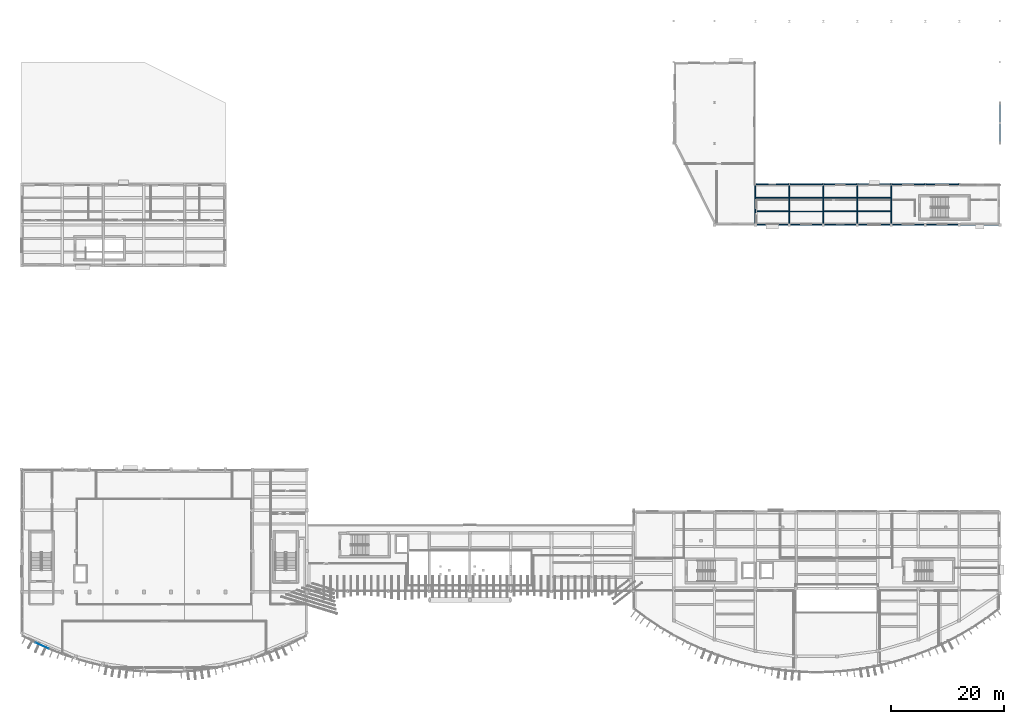
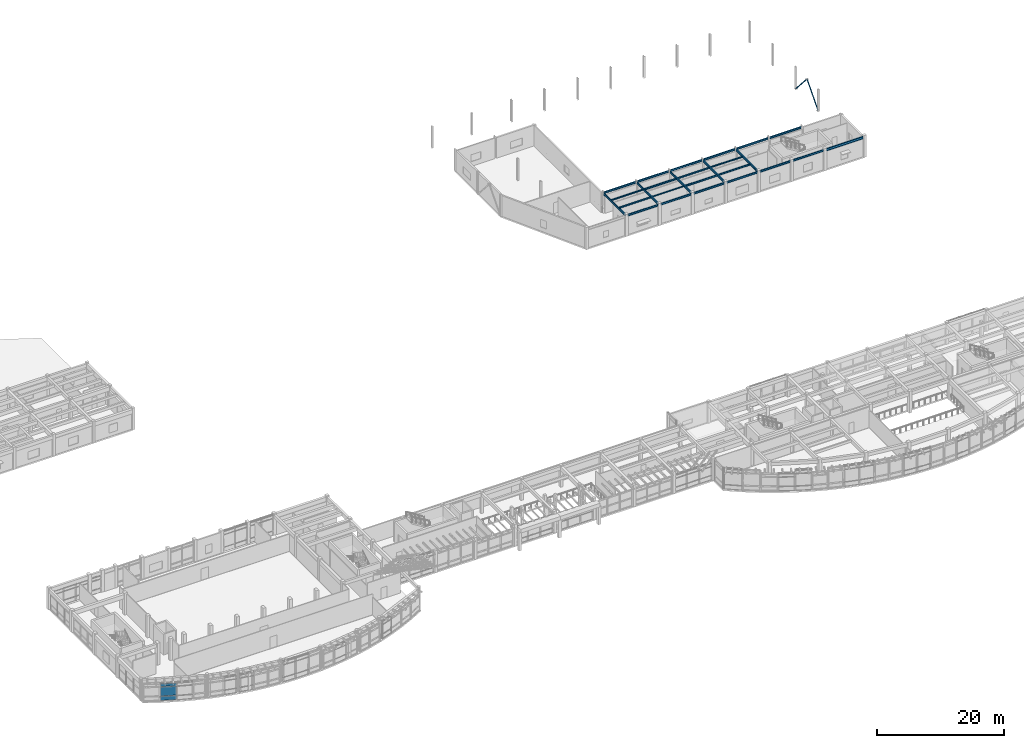
# One storey, part 27 of 60: 26 beams, 3 plates, 2 members, 1 element without a shape of its own.
"""IFC4 building model written with IfcOpenShell, lengths in metres."""

from ifc_helpers import new_model, si_unit, direction, frame, origin, origin_2d, place, context, subcontext, project, spatial, rectangle, hollow_circle, i_section, extrude, material, layer, layer_set, material_profile, profile_set, type_object, element, aggregate, save


model = new_model("IFC4")

# Units and contexts
model_context = context("Model", 3, precision=1e-05, world=origin(), true_north=direction((0.0, 1.0)))
body_context = subcontext(model_context, "Body", "Model", "MODEL_VIEW")
ifc_project = project(units=[si_unit("LENGTHUNIT", "METRE"), si_unit("AREAUNIT", "SQUARE_METRE"), si_unit("VOLUMEUNIT", "CUBIC_METRE"), si_unit("PLANEANGLEUNIT", "RADIAN"), si_unit("MASSUNIT", "GRAM", prefix="KILO")], contexts=[model_context])

# Site, building, storey
site_placement = place(None, origin())
site = spatial("IfcSite", under=ifc_project, at=site_placement, CompositionType="ELEMENT")
building_placement = place(site_placement, origin())
building = spatial("IfcBuilding", under=site, at=building_placement, Name="Brisavento Harbour Community Centre", CompositionType="ELEMENT")
storey_placement = place(building_placement, frame((0.0, 0.0, 4.5)))
storey = spatial("IfcBuildingStorey", under=building, at=storey_placement, Name="L01", CompositionType="ELEMENT", Elevation=4.5)

# Beams
ifc_material_1 = material(Name="Steel S355", Category="steel")
ifc_material_profile_1 = material_profile(ifc_material_1, i_section(OverallWidth=0.1201171875, OverallDepth=0.239990234375, WebThickness=0.006103515625, FlangeThickness=0.009765625, FilletRadius=0.014892578125, at=origin_2d()), Name="Steel S355")
ifc_profile_set_1 = profile_set([ifc_material_profile_1], Name="Steel S355")
beam_type_1 = type_object("IfcBeamType", Name="BM-STL-IPE240", PredefinedType="JOIST", material=ifc_profile_set_1)
beam_1_placement = place(storey_placement, frame((135.68994140625, 81.60009765625, 3.830078125), z_axis=(1.0, 0.0, 0.0), x_axis=(0.0, 1.0, 0.0)))
element("IfcBeam", 1, at=beam_1_placement, inside=storey, type_object=beam_type_1, Name="L01 secondary floor joist 0263", PredefinedType="JOIST", context=body_context, shape_type="SweptSolid", body=[
    extrude(i_section(OverallWidth=0.1201171875, OverallDepth=0.239990234375, WebThickness=0.006103515625, FlangeThickness=0.009765625, FilletRadius=0.014892578125, at=origin_2d()), origin(), (0.0, 0.0, 1.0), 5.820068359375),
])
ifc_material_profile_2 = material_profile(ifc_material_1, i_section(OverallWidth=0.135009765625, OverallDepth=0.27001953125, WebThickness=0.006591796875, FlangeThickness=0.01025390625, FilletRadius=0.014892578125, at=origin_2d()), Name="Steel S355")
ifc_profile_set_2 = profile_set([ifc_material_profile_2], Name="Steel S355")
beam_type_2 = type_object("IfcBeamType", Name="BM-STL-IPE270", PredefinedType="JOIST", material=ifc_profile_set_2)
for number, where, z_axis, x_axis, name in (
    (2, (129.68994140625, 84.0, 3.81494140625), (1.0, 0.0, 0.0), (0.0, 1.0, 0.0), "L01 secondary floor joist 0262"),
    (3, (147.68994140625, 84.0, 3.81494140625), (1.0, 0.0, 0.0), (0.0, 1.0, 0.0), "L01 secondary floor joist 0274"),
):
    element("IfcBeam", number, at=place(storey_placement, frame(where, z_axis=z_axis, x_axis=x_axis)), inside=storey, type_object=beam_type_2, Name=name, PredefinedType="JOIST", context=body_context, shape_type="SweptSolid", body=[
        extrude(i_section(OverallWidth=0.135009765625, OverallDepth=0.27001953125, WebThickness=0.006591796875, FlangeThickness=0.01025390625, FilletRadius=0.014892578125, at=origin_2d()), origin(), (0.0, 0.0, 1.0), 5.820068359375),
    ])
ifc_material_profile_3 = material_profile(ifc_material_1, i_section(OverallWidth=0.14990234375, OverallDepth=0.300048828125, WebThickness=0.007080078125, FlangeThickness=0.0107421875, FilletRadius=0.014892578125, at=origin_2d()), Name="Steel S355")
ifc_profile_set_3 = profile_set([ifc_material_profile_3], Name="Steel S355")
beam_type_3 = type_object("IfcBeamType", Name="BM-STL-IPE300", PredefinedType="JOIST", material=ifc_profile_set_3)
for number, where, z_axis, x_axis, name in (
    (4, (129.68994140625, 81.60009765625, 3.800048828125), (1.0, 0.0, 0.0), (0.0, 1.0, 0.0), "L01 secondary floor joist 0261"),
    (5, (141.68994140625, 84.0, 3.800048828125), (1.0, 0.0, 0.0), (0.0, 1.0, 0.0), "L01 secondary floor joist 0269"),
    (6, (147.68994140625, 81.60009765625, 3.800048828125), (1.0, 0.0, 0.0), (0.0, 1.0, 0.0), "L01 secondary floor joist 0273"),
):
    element("IfcBeam", number, at=place(storey_placement, frame(where, z_axis=z_axis, x_axis=x_axis)), inside=storey, type_object=beam_type_3, Name=name, PredefinedType="JOIST", context=body_context, shape_type="SweptSolid", body=[
        extrude(i_section(OverallWidth=0.14990234375, OverallDepth=0.300048828125, WebThickness=0.007080078125, FlangeThickness=0.0107421875, FilletRadius=0.014892578125, at=origin_2d()), origin(), (0.0, 0.0, 1.0), 5.820068359375),
    ])
ifc_material_profile_4 = material_profile(ifc_material_1, i_section(OverallWidth=0.159912109375, OverallDepth=0.330078125, WebThickness=0.007568359375, FlangeThickness=0.011474609375, FilletRadius=0.01806640625, at=origin_2d()), Name="Steel S355")
ifc_profile_set_4 = profile_set([ifc_material_profile_4], Name="Steel S355")
beam_type_4 = type_object("IfcBeamType", Name="BM-STL-IPE330", PredefinedType="JOIST", material=ifc_profile_set_4)
for number, where, z_axis, x_axis, name in (
    (7, (135.68994140625, 84.0, 3.784912109375), (1.0, 0.0, 0.0), (0.0, 1.0, 0.0), "L01 secondary floor joist 0264"),
    (8, (141.68994140625, 81.60009765625, 3.784912109375), (1.0, 0.0, 0.0), (0.0, 1.0, 0.0), "L01 secondary floor joist 0268"),
):
    element("IfcBeam", number, at=place(storey_placement, frame(where, z_axis=z_axis, x_axis=x_axis)), inside=storey, type_object=beam_type_4, Name=name, PredefinedType="JOIST", context=body_context, shape_type="SweptSolid", body=[
        extrude(i_section(OverallWidth=0.159912109375, OverallDepth=0.330078125, WebThickness=0.007568359375, FlangeThickness=0.011474609375, FilletRadius=0.01806640625, at=origin_2d()), origin(), (0.0, 0.0, 1.0), 5.820068359375),
    ])
ifc_material_profile_5 = material_profile(ifc_material_1, i_section(OverallWidth=0.169921875, OverallDepth=0.360107421875, WebThickness=0.008056640625, FlangeThickness=0.0126953125, FilletRadius=0.01806640625, at=origin_2d()), Name="Steel S355")
ifc_profile_set_5 = profile_set([ifc_material_profile_5], Name="Steel S355")
beam_type_5 = type_object("IfcBeamType", Name="BM-STL-IPE360", PredefinedType="BEAM", material=ifc_profile_set_5)
for number, where, z_axis, x_axis, name in (
    (9, (129.820068359375, 79.199951171875, 3.77001953125), (1.0, 0.0, 0.0), (0.0, 1.0, 0.0), "L01 primary girder X0457"),
    (10, (135.820068359375, 79.199951171875, 3.77001953125), (1.0, 0.0, 0.0), (0.0, 1.0, 0.0), "L01 primary girder X0458"),
    (11, (141.820068359375, 79.199951171875, 3.77001953125), (1.0, 0.0, 0.0), (0.0, 1.0, 0.0), "L01 primary girder X0459"),
    (12, (147.820068359375, 79.199951171875, 3.77001953125), (1.0, 0.0, 0.0), (0.0, 1.0, 0.0), "L01 primary girder X0460"),
    (13, (153.820068359375, 79.199951171875, 3.77001953125), (1.0, 0.0, 0.0), (0.0, 1.0, 0.0), "L01 primary girder X0461"),
    (14, (159.820068359375, 79.199951171875, 3.77001953125), (1.0, 0.0, 0.0), (0.0, 1.0, 0.0), "L01 primary girder X0462"),
):
    element("IfcBeam", number, at=place(storey_placement, frame(where, z_axis=z_axis, x_axis=x_axis)), inside=storey, type_object=beam_type_5, Name=name, PredefinedType="BEAM", context=body_context, shape_type="SweptSolid", body=[
        extrude(i_section(OverallWidth=0.169921875, OverallDepth=0.360107421875, WebThickness=0.008056640625, FlangeThickness=0.0126953125, FilletRadius=0.01806640625, at=origin_2d()), origin(), (0.0, 0.0, 1.0), 5.559814453125),
    ])
for number, where, z_axis, x_axis, name in (
    (15, (129.719970703125, 86.39990234375, 3.77001953125), (1.0, 0.0, 0.0), (0.0, 1.0, 0.0), "L01 primary girder X0469"),
    (16, (135.719970703125, 86.39990234375, 3.77001953125), (1.0, 0.0, 0.0), (0.0, 1.0, 0.0), "L01 primary girder X0470"),
    (17, (141.719970703125, 86.39990234375, 3.77001953125), (1.0, 0.0, 0.0), (0.0, 1.0, 0.0), "L01 primary girder X0471"),
    (18, (147.719970703125, 86.39990234375, 3.77001953125), (1.0, 0.0, 0.0), (0.0, 1.0, 0.0), "L01 primary girder X0472"),
    (19, (153.719970703125, 86.39990234375, 3.77001953125), (1.0, 0.0, 0.0), (0.0, 1.0, 0.0), "L01 primary girder X0473"),
    (20, (159.719970703125, 86.39990234375, 3.77001953125), (1.0, 0.0, 0.0), (0.0, 1.0, 0.0), "L01 primary girder X0474"),
):
    element("IfcBeam", number, at=place(storey_placement, frame(where, z_axis=z_axis, x_axis=x_axis)), inside=storey, type_object=beam_type_5, Name=name, PredefinedType="BEAM", context=body_context, shape_type="SweptSolid", body=[
        extrude(i_section(OverallWidth=0.169921875, OverallDepth=0.360107421875, WebThickness=0.008056640625, FlangeThickness=0.0126953125, FilletRadius=0.01806640625, at=origin_2d()), origin(), (0.0, 0.0, 1.0), 5.760009765625),
    ])
ifc_material_profile_6 = material_profile(ifc_material_1, i_section(OverallWidth=0.179931640625, OverallDepth=0.39990234375, WebThickness=0.008544921875, FlangeThickness=0.013427734375, FilletRadius=0.02099609375, at=origin_2d()), Name="Steel S355")
ifc_profile_set_6 = profile_set([ifc_material_profile_6], Name="Steel S355")
beam_type_6 = type_object("IfcBeamType", Name="BM-STL-IPE400", PredefinedType="BEAM", material=ifc_profile_set_6)
for number, where, z_axis, x_axis, name in (
    (21, (129.60009765625, 79.419921875, 3.75), (0.0, 1.0, 0.0), (-1.0, 0.0, 0.0), "L01 primary girder Y0512"),
    (22, (135.60009765625, 79.419921875, 3.75), (0.0, 1.0, 0.0), (-1.0, 0.0, 0.0), "L01 primary girder Y0513"),
    (23, (141.60009765625, 79.419921875, 3.75), (0.0, 1.0, 0.0), (-1.0, 0.0, 0.0), "L01 primary girder Y0516"),
    (24, (147.60009765625, 79.419921875, 3.75), (0.0, 1.0, 0.0), (-1.0, 0.0, 0.0), "L01 primary girder Y0519"),
    (25, (153.60009765625, 79.419921875, 3.75), (0.0, 1.0, 0.0), (-1.0, 0.0, 0.0), "L01 primary girder Y0523"),
):
    element("IfcBeam", number, at=place(storey_placement, frame(where, z_axis=z_axis, x_axis=x_axis)), inside=storey, type_object=beam_type_6, Name=name, PredefinedType="BEAM", context=body_context, shape_type="SweptSolid", body=[
        extrude(i_section(OverallWidth=0.179931640625, OverallDepth=0.39990234375, WebThickness=0.008544921875, FlangeThickness=0.013427734375, FilletRadius=0.02099609375, at=origin_2d()), origin(), (0.0, 0.0, 1.0), 6.815185546875),
    ])
ifc_material_profile_7 = material_profile(ifc_material_1, i_section(OverallWidth=0.18994140625, OverallDepth=0.449951171875, WebThickness=0.009521484375, FlangeThickness=0.0146484375, FilletRadius=0.02099609375, at=origin_2d()), Name="Steel S355")
ifc_profile_set_7 = profile_set([ifc_material_profile_7], Name="Steel S355")
beam_type_7 = type_object("IfcBeamType", Name="BM-STL-IPE450", PredefinedType="BEAM", material=ifc_profile_set_7)
beam_2_placement = place(storey_placement, frame((165.820068359375, 79.199951171875, 3.72509765625), z_axis=(1.0, 0.0, 0.0), x_axis=(0.0, 1.0, 0.0)))
element("IfcBeam", 26, at=beam_2_placement, inside=storey, type_object=beam_type_7, Name="L01 primary girder X0463", PredefinedType="BEAM", context=body_context, shape_type="SweptSolid", body=[
    extrude(i_section(OverallWidth=0.18994140625, OverallDepth=0.449951171875, WebThickness=0.009521484375, FlangeThickness=0.0146484375, FilletRadius=0.02099609375, at=origin_2d()), origin(), (0.0, 0.0, 1.0), 6.760009765625),
])

# Members
ifc_material_profile_8 = material_profile(ifc_material_1, hollow_circle(Radius=0.096923828125, WallThickness=0.010009765625, at=origin_2d()), Name="Steel S355")
ifc_profile_set_8 = profile_set([ifc_material_profile_8], Name="Steel S355")
member_type = type_object("IfcMemberType", Name="MEM-BRC-CHS193", PredefinedType="BRACE", material=ifc_profile_set_8)
for number, where, z_axis, x_axis, name in (
    (27, (172.800048828125, 93.719970703125, 0.0), (0.0, 0.66105851983, 0.750334347715), (-1.0, 0.0, 0.0), "Sports Hall flank chevron brace 2.1"),
    (28, (172.800048828125, 100.679931640625, 0.0), (0.0, -0.66105851983, 0.750334347715), (1.0, 0.0, 0.0), "Sports Hall flank chevron brace 2.2"),
):
    element("IfcMember", number, at=place(storey_placement, frame(where, z_axis=z_axis, x_axis=x_axis)), inside=storey, type_object=member_type, Name=name, PredefinedType="BRACE", context=body_context, shape_type="SweptSolid", body=[
        extrude(hollow_circle(Radius=0.096923828125, WallThickness=0.010009765625, at=origin_2d()), origin(), (0.0, 0.0, 1.0), 5.26416015625),
    ])

# Curtain wall, plates
ifc_material_2 = material(Name="Marine-anodised aluminium AW-6063-T6", Category="aluminium")
ifc_layer_1 = layer(ifc_material_2, 0.179931640625, Name="Marine-anodised aluminium AW-6063-T6")
ifc_layer_set_1 = layer_set([ifc_layer_1], Name="Marine-anodised aluminium AW-6063-T6")
curtain_wall_type = type_object("IfcCurtainWallType", Name="CW-SYS-21", PredefinedType="USERDEFINED", material=ifc_layer_set_1)
curtain_wall_placement = place(storey_placement, origin())
curtain_wall = element("IfcCurtainWall", 29, at=curtain_wall_placement, inside=storey, type_object=curtain_wall_type, Name="L01 V1 unitised curtain wall 021", ObjectType="UNITISED CURTAIN WALL", PredefinedType="USERDEFINED")
ifc_material_3 = material(Name="Solar-control laminated low-E glass", Category="glass")
ifc_layer_2 = layer(ifc_material_3, 0.02392578125, Name="Solar-control laminated low-E glass")
ifc_layer_set_2 = layer_set([ifc_layer_2], Name="Solar-control laminated low-E glass")
plate_type = type_object("IfcPlateType", Name="CWP-GLZ-1", PredefinedType="CURTAIN_PANEL", material=ifc_layer_set_2)
plate_1_placement = place(storey_placement, frame((3.6748046875, 4.880615234375, 0.06494140625), z_axis=(0.0, 0.0, 1.0), x_axis=(-0.909597727846, 0.415490040189, 0.0)))
plate_1 = element("IfcPlate", 30, at=plate_1_placement, type_object=plate_type, Name="CW-21 panel 1.1", PredefinedType="CURTAIN_PANEL", context=body_context, shape_type="SweptSolid", body=[
    extrude(rectangle(XDim=2.472412109375, YDim=0.02392578125, at=origin_2d()), origin(), (0.0, 0.0, 1.0), 0.802490234375),
])
plate_2_placement = place(storey_placement, frame((3.6748046875, 4.880615234375, 0.9326171875), z_axis=(0.0, 0.0, 1.0), x_axis=(-0.909597727846, 0.415490040189, 0.0)))
plate_2 = element("IfcPlate", 31, at=plate_2_placement, type_object=plate_type, Name="CW-21 panel 1.2", PredefinedType="CURTAIN_PANEL", context=body_context, shape_type="SweptSolid", body=[
    extrude(rectangle(XDim=2.472412109375, YDim=0.02392578125, at=origin_2d()), origin(), (0.0, 0.0, 1.0), 1.735107421875),
])
plate_3_placement = place(storey_placement, frame((3.6748046875, 4.880615234375, 2.732421875), z_axis=(0.0, 0.0, 1.0), x_axis=(-0.909597727846, 0.415490040189, 0.0)))
plate_3 = element("IfcPlate", 32, at=plate_3_placement, type_object=plate_type, Name="CW-21 panel 1.3", PredefinedType="CURTAIN_PANEL", context=body_context, shape_type="SweptSolid", body=[
    extrude(rectangle(XDim=2.472412109375, YDim=0.02392578125, at=origin_2d()), origin(), (0.0, 0.0, 1.0), 0.552490234375),
])
aggregate(curtain_wall, [plate_1, plate_2, plate_3])

save(model, "model.ifc")
